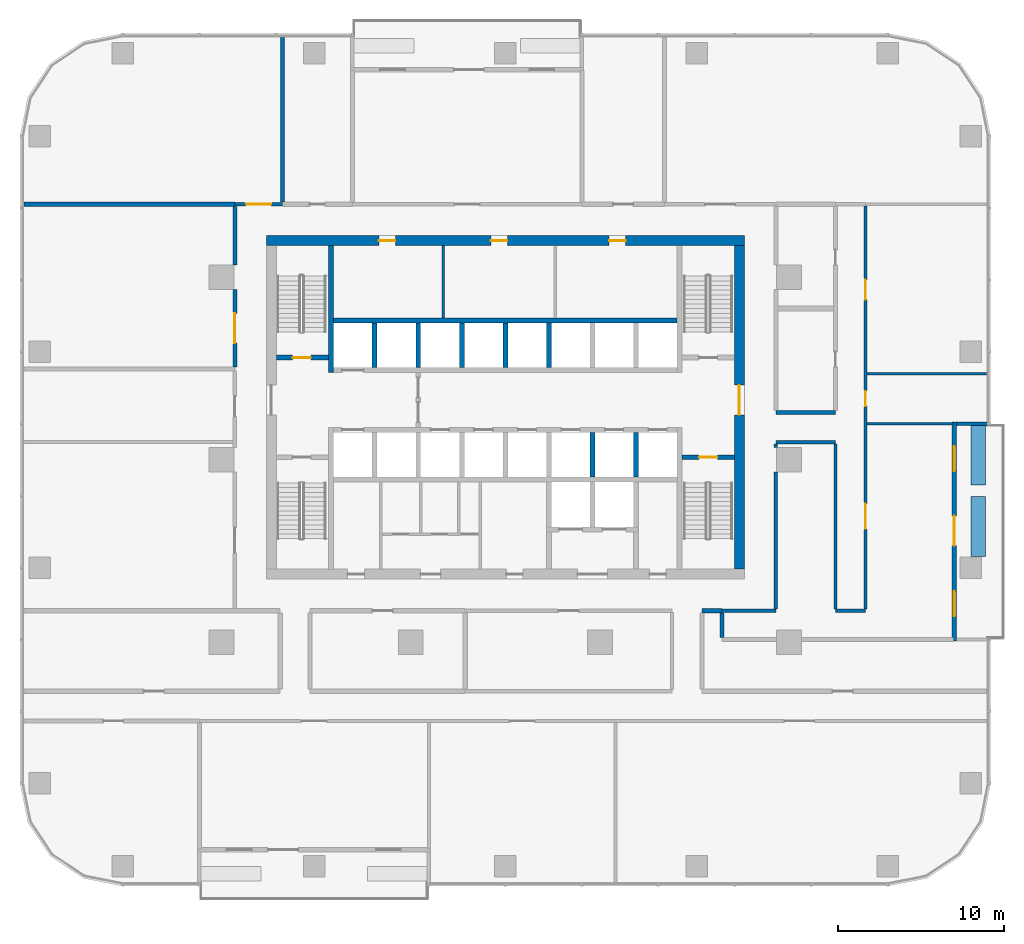
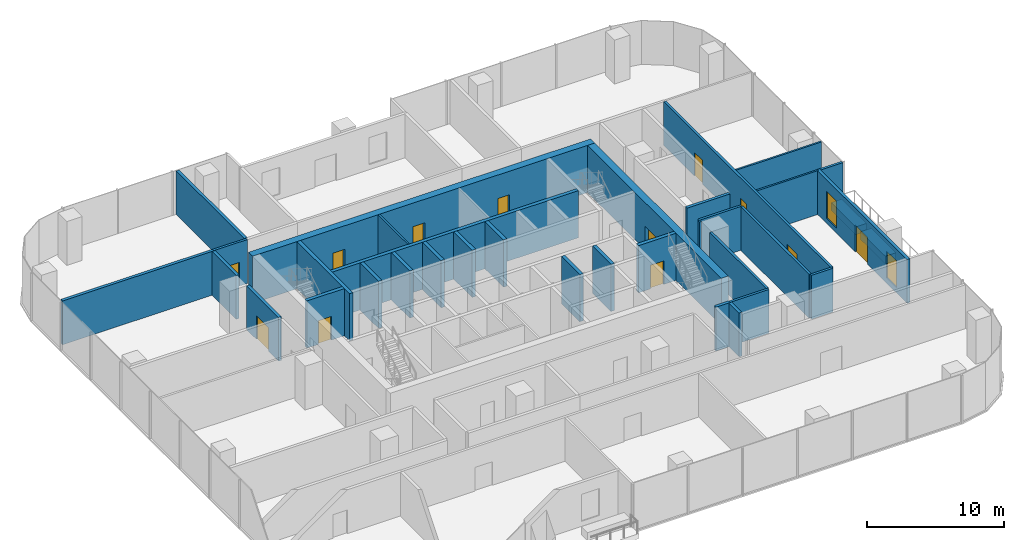
# One storey, part 9 of 14: 35 walls, 12 doors, 2 windows, 14 openings.
"""IFC4 building model written with IfcOpenShell, lengths in metres."""

import ifcopenshell
import ifcopenshell.guid

model = None  # the IFC model being written
_history = None  # IfcOwnerHistory: only IFC2X3 demands one
_inside = {}  # id of a spatial element -> (the spatial element, [elements in it])
_under = {}  # id of a project, library or spatial element -> (it, [spatial elements below it])
_declared = {}  # id of a project -> (the project, [libraries it declares])
_typed = {}  # id of a type object -> (the type object, [elements of that type])
_made_of = {}  # id of a material, layer set ... -> (it, [elements and type objects made of it])


def new_model(schema):
    """Start an empty IFC model of exactly this schema.

    Asked for "IFC4X3", IfcOpenShell would pick the latest addendum, in which some entities
    have other attributes; the version numbers below select the first issue.
    IFC2X3 requires an IfcOwnerHistory on every rooted entity: one is made here for all.
    """
    global model, _history
    if schema == "IFC4X3":
        model = ifcopenshell.file(schema_version=(4, 3, 0, 0))
    else:
        model = ifcopenshell.file(schema=schema)
    _inside.clear()
    _under.clear()
    _declared.clear()
    _typed.clear()
    _made_of.clear()
    _history = None
    if model.schema == "IFC2X3":
        org = make("IfcOrganization", Name="unknown")
        user = make(
            "IfcPersonAndOrganization",
            ThePerson=make("IfcPerson", FamilyName="unknown"),
            TheOrganization=org,
        )
        app = make(
            "IfcApplication",
            ApplicationDeveloper=org,
            Version="unknown",
            ApplicationFullName="unknown",
            ApplicationIdentifier="unknown",
        )
        _history = make(
            "IfcOwnerHistory",
            OwningUser=user,
            OwningApplication=app,
            ChangeAction="ADDED",
            CreationDate=0,
        )
    return model


def make(cls, **values):
    """One entity of the class cls with the attributes given. An attribute that is None is left unset."""
    return model.create_entity(
        cls, **{name: value for name, value in values.items() if value is not None}
    )


def rooted(cls, **values):
    """An entity with a GlobalId (a new one), such as an element, a storey or a relation."""
    return make(cls, GlobalId=ifcopenshell.guid.new(), OwnerHistory=_history, **values)


def si_unit(unit_type, name, prefix=None):
    """IfcSIUnit, for example si_unit("LENGTHUNIT", "METRE", prefix="MILLI")."""
    return make("IfcSIUnit", UnitType=unit_type, Prefix=prefix, Name=name)


def assignment(units):
    """IfcUnitAssignment: the units of a project."""
    return None if units is None else make("IfcUnitAssignment", Units=units)


def point(xyz):
    """IfcCartesianPoint."""
    return None if xyz is None else make("IfcCartesianPoint", Coordinates=xyz)


def direction(xyz):
    """IfcDirection."""
    return None if xyz is None else make("IfcDirection", DirectionRatios=xyz)


def frame(location, z_axis=None, x_axis=None):
    """IfcAxis2Placement3D, a coordinate frame: its origin and axes. An axis left out is left unset."""
    return make(
        "IfcAxis2Placement3D",
        Location=point(location),
        Axis=direction(z_axis),
        RefDirection=direction(x_axis),
    )


def frame_2d(location, x_axis=None):
    """IfcAxis2Placement2D, a coordinate frame in the plane: its origin and x axis."""
    return make(
        "IfcAxis2Placement2D", Location=point(location), RefDirection=direction(x_axis)
    )


def origin():
    """The frame at (0, 0, 0) with its axes left unset."""
    return frame((0.0, 0.0, 0.0))


def place(relative_to, where):
    """IfcLocalPlacement: puts the frame where relative to a parent placement (None: the world)."""
    return make(
        "IfcLocalPlacement", PlacementRelTo=relative_to, RelativePlacement=where
    )


def context(
    kind, dimensions, precision=None, world=None, true_north=None, identifier=None
):
    """IfcGeometricRepresentationContext, for example the 3D "Model" context."""
    return make(
        "IfcGeometricRepresentationContext",
        ContextIdentifier=identifier,
        ContextType=kind,
        CoordinateSpaceDimension=dimensions,
        Precision=precision,
        WorldCoordinateSystem=world,
        TrueNorth=true_north,
    )


def subcontext(parent, identifier, kind, view, scale=None):
    """IfcGeometricRepresentationSubContext, for example "Body" below "Model"."""
    return make(
        "IfcGeometricRepresentationSubContext",
        ContextIdentifier=identifier,
        ContextType=kind,
        ParentContext=parent,
        TargetScale=scale,
        TargetView=view,
    )


def project(units=None, contexts=None):
    """IfcProject with its units and contexts."""
    return rooted(
        "IfcProject",
        Name="project",
        RepresentationContexts=contexts,
        UnitsInContext=assignment(units),
    )


def spatial(cls, under=None, at=None, **own):
    """A site, building, storey or space (cls), placed at a placement, below another one or the project."""
    s = rooted(cls, ObjectPlacement=at, **own)
    if under is not None:
        _under.setdefault(under.id(), (under, []))[1].append(s)
    return s


def profile(cls, at=None, kind="AREA", **sizes):
    """A parametric profile (cls). Its sizes go by their IFC names, for example OverallWidth=200.0."""
    return make(cls, ProfileType=kind, Position=at, **sizes)


def rectangle(**sizes):
    """IfcRectangleProfileDef."""
    return profile("IfcRectangleProfileDef", **sizes)


def extrude(swept, where, along, depth):
    """IfcExtrudedAreaSolid: the profile swept, set in the frame where, extruded along a direction by depth."""
    return make(
        "IfcExtrudedAreaSolid",
        SweptArea=swept,
        Position=where,
        ExtrudedDirection=direction(along),
        Depth=depth,
    )


def shape(context_of_items, identifier, shape_type, items):
    """IfcShapeRepresentation: the items that make up one representation, for example the "Body"."""
    return make(
        "IfcShapeRepresentation",
        ContextOfItems=context_of_items,
        RepresentationIdentifier=identifier,
        RepresentationType=shape_type,
        Items=items,
    )


def material(Name=None, Category=None):
    """IfcMaterial."""
    return make("IfcMaterial", Name=Name, Category=Category)


def layer(
    of_material, thickness, ventilated=None, Name=None, Category=None, Priority=None
):
    """IfcMaterialLayer: one layer of a wall or slab, of a material (None: an air gap)."""
    return make(
        "IfcMaterialLayer",
        Material=of_material,
        LayerThickness=thickness,
        IsVentilated=ventilated,
        Name=Name,
        Category=Category,
        Priority=Priority,
    )


def layer_set(layers, Name=None):
    """IfcMaterialLayerSet."""
    return make("IfcMaterialLayerSet", MaterialLayers=layers, LayerSetName=Name)


def made_of(thing, what):
    """Note that an element or type object is made of a material, layer set ...; save() writes the relation."""
    if what is not None:
        _made_of.setdefault(what.id(), (what, []))[1].append(thing)
    return thing


def type_object(cls, material=None, **own):
    """A type object (cls), such as IfcWallType, which elements share."""
    return made_of(rooted(cls, **own), material)


def element(
    cls,
    number,
    at=None,
    inside=None,
    cuts=None,
    type_object=None,
    material=None,
    context=None,
    identifier="Body",
    shape_type=None,
    held_by="IfcProductDefinitionShape",
    body=None,
    shapes=None,
    **own,
):
    """One element of the class cls, such as IfcWall. Its Tag is "e" and its number.

    at: its placement. inside: the storey or other place that contains it. cuts: it is an
    opening in that element (IfcRelVoidsElement). A single representation is given by context,
    identifier, shape_type and body (its items); several are given by shapes. held_by: the class
    of the entity that holds the representations. save() writes the other relations.
    """
    e = rooted(cls, Tag="e%d" % number, ObjectPlacement=at, **own)
    if body is not None:
        shapes = [shape(context, identifier, shape_type, body)]
    if shapes is not None:
        e.Representation = make(held_by, Representations=shapes)
    if inside is not None:
        _inside.setdefault(inside.id(), (inside, []))[1].append(e)
    if cuts is not None:
        rooted(
            "IfcRelVoidsElement", RelatingBuildingElement=cuts, RelatedOpeningElement=e
        )
    if type_object is not None:
        _typed.setdefault(type_object.id(), (type_object, []))[1].append(e)
    return made_of(e, material)


def fill(opening, filler):
    """IfcRelFillsElement: the door or window that sits in an opening."""
    return rooted(
        "IfcRelFillsElement",
        RelatingOpeningElement=opening,
        RelatedBuildingElement=filler,
    )


def aggregate(whole, parts):
    """IfcRelAggregates: a whole, such as a stair, and the parts it consists of."""
    return rooted("IfcRelAggregates", RelatingObject=whole, RelatedObjects=parts)


def save(model, path):
    """Write the relations noted so far, then the file.

    IfcRelAggregates (storeys below a building ...), IfcRelContainedInSpatialStructure (elements
    in a storey), IfcRelDefinesByType, IfcRelAssociatesMaterial and IfcRelDeclares: one each for
    every whole, place, type object, material and project.
    """
    for whole, parts in _under.values():
        aggregate(whole, parts)
    for where, things in _inside.values():
        rooted(
            "IfcRelContainedInSpatialStructure",
            RelatedElements=things,
            RelatingStructure=where,
        )
    for kind, things in _typed.values():
        rooted("IfcRelDefinesByType", RelatedObjects=things, RelatingType=kind)
    for what, things in _made_of.values():
        rooted("IfcRelAssociatesMaterial", RelatedObjects=things, RelatingMaterial=what)
    for by, libraries in _declared.values():
        rooted("IfcRelDeclares", RelatingContext=by, RelatedDefinitions=libraries)
    model.write(path)


model = new_model("IFC4")

# Units and contexts
model_context = context("Model", 3, precision=1e-05, world=origin(), true_north=direction((0.0, 1.0)))
body_context = subcontext(model_context, "Body", "Model", "MODEL_VIEW")
ifc_project = project(units=[si_unit("LENGTHUNIT", "METRE"), si_unit("AREAUNIT", "SQUARE_METRE"), si_unit("VOLUMEUNIT", "CUBIC_METRE"), si_unit("PLANEANGLEUNIT", "RADIAN"), si_unit("MASSUNIT", "GRAM", prefix="KILO")], contexts=[model_context])

# Site, building, storey
site_placement = place(None, origin())
site = spatial("IfcSite", under=ifc_project, at=site_placement, CompositionType="ELEMENT")
building_placement = place(site_placement, origin())
building = spatial("IfcBuilding", under=site, at=building_placement, Name="Mopane Tessera Tower", CompositionType="ELEMENT")
storey_placement = place(building_placement, frame((0.0, 0.0, 144.10009765625)))
storey = spatial("IfcBuildingStorey", under=building, at=storey_placement, Name="L29", CompositionType="ELEMENT", Elevation=144.10009765625)

# Wall
ifc_material_1 = material(Name="Fire-rated gypsum board partition")
ifc_layer_1 = layer(ifc_material_1, 0.14990234375)
ifc_layer_set_1 = layer_set([ifc_layer_1], Name="Fire-rated gypsum board partition")
wall_type_1 = type_object("IfcWallType", Name="Core room partition 150 mm", PredefinedType="PARTITIONING", material=ifc_layer_set_1)
wall_1_placement = place(storey_placement, frame((-3.75, 8.550048828125, 0.0), z_axis=(0.0, 0.0, 1.0), x_axis=(0.0, 1.0, 0.0)))
element("IfcWall", 1, at=wall_1_placement, inside=storey, type_object=wall_type_1, Name="L29 Room partition", PredefinedType="PARTITIONING", context=body_context, shape_type="SweptSolid", body=[
    extrude(rectangle(XDim=4.349853515625, YDim=0.14990234375, at=frame_2d((2.1748046875, 0.0))), origin(), (0.0, 0.0, 1.0), 4.199951171875),
])

# Wall, openings, doors
ifc_material_2 = material(Name="Concrete C70/85", Category="concrete")
ifc_layer_2 = layer(ifc_material_2, 0.60009765625)
ifc_layer_set_2 = layer_set([ifc_layer_2], Name="Concrete C70/85")
wall_type_2 = type_object("IfcWallType", Name="Core shear wall 600 mm", PredefinedType="SHEAR", material=ifc_layer_set_2)
wall_2_placement = place(storey_placement, frame((-14.39990234375, 13.199951171875, 0.0), z_axis=(0.0, 0.0, 1.0), x_axis=(1.0, 0.0, 0.0)))
wall_2 = element("IfcWall", 2, at=wall_2_placement, inside=storey, type_object=wall_type_2, Name="L29 Core wall north", PredefinedType="SHEAR", context=body_context, shape_type="SweptSolid", body=[
    extrude(rectangle(XDim=28.7998046875, YDim=0.60009765625, at=frame_2d((14.39990234375, 0.0))), origin(), (0.0, 0.0, 1.0), 4.199951171875),
])
opening_1_placement = place(wall_2_placement, frame((6.77490234375, 0.0, 0.0)))
opening_1 = element("IfcOpeningElement", 3, at=opening_1_placement, cuts=wall_2, Name="Opening RD1", PredefinedType="OPENING", context=body_context, shape_type="SweptSolid", body=[
    extrude(rectangle(XDim=1.0, YDim=2.10009765625, at=frame_2d((0.5, 1.050048828125))), frame((0.0, 0.31201171875, 0.0), z_axis=(0.0, -1.0, 0.0), x_axis=(1.0, 0.0, 0.0)), (0.0, 0.0, 1.0), 0.6240234375),
])
opening_2_placement = place(wall_2_placement, frame((13.52490234375, 0.0, 0.0)))
opening_2 = element("IfcOpeningElement", 4, at=opening_2_placement, cuts=wall_2, Name="Opening RD1", PredefinedType="OPENING", context=body_context, shape_type="SweptSolid", body=[
    extrude(rectangle(XDim=1.0, YDim=2.10009765625, at=frame_2d((0.5, 1.050048828125))), frame((0.0, 0.31201171875, 0.0), z_axis=(0.0, -1.0, 0.0), x_axis=(1.0, 0.0, 0.0)), (0.0, 0.0, 1.0), 0.6240234375),
])
opening_3_placement = place(wall_2_placement, frame((20.64990234375, 0.0, 0.0)))
opening_3 = element("IfcOpeningElement", 5, at=opening_3_placement, cuts=wall_2, Name="Opening RD1", PredefinedType="OPENING", context=body_context, shape_type="SweptSolid", body=[
    extrude(rectangle(XDim=1.0, YDim=2.10009765625, at=frame_2d((0.5, 1.050048828125))), frame((0.0, 0.31201171875, 0.0), z_axis=(0.0, -1.0, 0.0), x_axis=(1.0, 0.0, 0.0)), (0.0, 0.0, 1.0), 0.6240234375),
])
ifc_material_3 = material(Name="Timber door", Category="wood")
door_type_1 = type_object("IfcDoorType", Name="Core room door 1000 x 2100", OperationType="SINGLE_SWING_LEFT", PredefinedType="DOOR", material=ifc_material_3)
door_1_placement = place(opening_1_placement, origin())
door_1 = element("IfcDoor", 6, at=door_1_placement, inside=storey, type_object=door_type_1, Name="L29 Room door", OperationType="SINGLE_SWING_LEFT", OverallHeight=2.10009765625, OverallWidth=1.0, PredefinedType="DOOR", context=body_context, shape_type="SweptSolid", body=[
    extrude(rectangle(XDim=1.0, YDim=2.10009765625, at=frame_2d((0.5, 1.050048828125))), frame((0.0, 0.02490234375, 0.0), z_axis=(0.0, -1.0, 0.0), x_axis=(1.0, 0.0, 0.0)), (0.0, 0.0, 1.0), 0.050048828125),
])
fill(opening_1, door_1)
door_2_placement = place(opening_2_placement, origin())
door_2 = element("IfcDoor", 7, at=door_2_placement, inside=storey, type_object=door_type_1, Name="L29 Room door", OperationType="SINGLE_SWING_LEFT", OverallHeight=2.10009765625, OverallWidth=1.0, PredefinedType="DOOR", context=body_context, shape_type="SweptSolid", body=[
    extrude(rectangle(XDim=1.0, YDim=2.10009765625, at=frame_2d((0.5, 1.050048828125))), frame((0.0, 0.02490234375, 0.0), z_axis=(0.0, -1.0, 0.0), x_axis=(1.0, 0.0, 0.0)), (0.0, 0.0, 1.0), 0.050048828125),
])
fill(opening_2, door_2)
door_3_placement = place(opening_3_placement, origin())
door_3 = element("IfcDoor", 8, at=door_3_placement, inside=storey, type_object=door_type_1, Name="L29 Room door", OperationType="SINGLE_SWING_LEFT", OverallHeight=2.10009765625, OverallWidth=1.0, PredefinedType="DOOR", context=body_context, shape_type="SweptSolid", body=[
    extrude(rectangle(XDim=1.0, YDim=2.10009765625, at=frame_2d((0.5, 1.050048828125))), frame((0.0, 0.02490234375, 0.0), z_axis=(0.0, -1.0, 0.0), x_axis=(1.0, 0.0, 0.0)), (0.0, 0.0, 1.0), 0.050048828125),
])
fill(opening_3, door_3)

# Wall, opening, door
wall_3_placement = place(storey_placement, frame((14.10009765625, -6.60009765625, 0.0), z_axis=(0.0, 0.0, 1.0), x_axis=(0.0, 1.0, 0.0)))
wall_3 = element("IfcWall", 9, at=wall_3_placement, inside=storey, type_object=wall_type_2, Name="L29 Core wall east", PredefinedType="SHEAR", context=body_context, shape_type="SweptSolid", body=[
    extrude(rectangle(XDim=19.5, YDim=0.60009765625, at=frame_2d((9.75, 0.0))), origin(), (0.0, 0.0, 1.0), 4.199951171875),
])
opening_4_placement = place(wall_3_placement, frame((9.300048828125, 0.0, 0.0)))
opening_4 = element("IfcOpeningElement", 10, at=opening_4_placement, cuts=wall_3, Name="Opening SD2", PredefinedType="OPENING", context=body_context, shape_type="SweptSolid", body=[
    extrude(rectangle(XDim=1.800048828125, YDim=2.10009765625, at=frame_2d((0.89990234375, 1.050048828125))), frame((0.0, 0.31201171875, 0.0), z_axis=(0.0, -1.0, 0.0), x_axis=(1.0, 0.0, 0.0)), (0.0, 0.0, 1.0), 0.6240234375),
])
ifc_material_4 = material(Name="Steel fire door", Category="steel")
door_type_2 = type_object("IfcDoorType", Name="Core entrance double door 1800 x 2100", OperationType="DOUBLE_DOOR_SINGLE_SWING", PredefinedType="DOOR", material=ifc_material_4)
door_4_placement = place(opening_4_placement, origin())
door_4 = element("IfcDoor", 11, at=door_4_placement, inside=storey, type_object=door_type_2, Name="L29 Core entrance door east", OperationType="DOUBLE_DOOR_SINGLE_SWING", OverallHeight=2.10009765625, OverallWidth=1.800048828125, PredefinedType="DOOR", context=body_context, shape_type="SweptSolid", body=[
    extrude(rectangle(XDim=1.800048828125, YDim=2.10009765625, at=frame_2d((0.89990234375, 1.050048828125))), frame((0.0, 0.02490234375, 0.0), z_axis=(0.0, -1.0, 0.0), x_axis=(1.0, 0.0, 0.0)), (0.0, 0.0, 1.0), 0.050048828125),
])
fill(opening_4, door_4)

# Walls
ifc_material_5 = material(Name="Concrete C60/75", Category="concrete")
ifc_layer_3 = layer(ifc_material_5, 0.300048828125)
ifc_layer_set_3 = layer_set([ifc_layer_3], Name="Concrete C60/75")
wall_type_3 = type_object("IfcWallType", Name="Core spine wall 300 mm", PredefinedType="SHEAR", material=ifc_layer_set_3)
wall_4_placement = place(storey_placement, frame((-10.5, 5.25, 0.0), z_axis=(0.0, 0.0, 1.0), x_axis=(0.0, 1.0, 0.0)))
element("IfcWall", 12, at=wall_4_placement, inside=storey, type_object=wall_type_3, Name="L29 Core spine wall", PredefinedType="SHEAR", context=body_context, shape_type="SweptSolid", body=[
    extrude(rectangle(XDim=7.64990234375, YDim=0.300048828125, at=frame_2d((3.824951171875, 0.0))), origin(), (0.0, 0.0, 1.0), 4.199951171875),
])
ifc_material_6 = material(Name="Gypsum board on steel studs, two layers each face, mineral wool infill", Category="steel")
ifc_layer_4 = layer(ifc_material_6, 0.199951171875)
ifc_layer_set_4 = layer_set([ifc_layer_4], Name="Gypsum board on steel studs, two layers each face, mineral wool infill")
wall_type_4 = type_object("IfcWallType", Name="Gypsum board corridor wall 200, rated EI 60", PredefinedType="PARTITIONING", material=ifc_layer_set_4)
wall_5_placement = place(storey_placement, frame((13.050048828125, -9.10009765625, 0.0), z_axis=(0.0, 0.0, 1.0), x_axis=(1.0, 0.0, 0.0)))
element("IfcWall", 13, at=wall_5_placement, inside=storey, type_object=wall_type_4, Name="Partition L29:009", PredefinedType="PARTITIONING", context=body_context, shape_type="SweptSolid", body=[
    extrude(rectangle(XDim=3.25, YDim=0.199951171875, at=frame_2d((1.625, 0.0))), origin(), (0.0, 0.0, 1.0), 3.89990234375),
])
wall_6_placement = place(storey_placement, frame((19.89990234375, -9.10009765625, 0.0), z_axis=(0.0, 0.0, 1.0), x_axis=(1.0, 0.0, 0.0)))
element("IfcWall", 14, at=wall_6_placement, inside=storey, type_object=wall_type_4, Name="Partition L29:010", PredefinedType="PARTITIONING", context=body_context, shape_type="SweptSolid", body=[
    extrude(rectangle(XDim=1.800048828125, YDim=0.199951171875, at=frame_2d((0.89990234375, 0.0))), origin(), (0.0, 0.0, 1.0), 3.89990234375),
])
wall_7_placement = place(storey_placement, frame((16.300048828125, 1.050048828125, 0.0), z_axis=(0.0, 0.0, 1.0), x_axis=(1.0, 0.0, 0.0)))
element("IfcWall", 15, at=wall_7_placement, inside=storey, type_object=wall_type_4, Name="Partition L29:014", PredefinedType="PARTITIONING", context=body_context, shape_type="SweptSolid", body=[
    extrude(rectangle(XDim=3.599853515625, YDim=0.199951171875, at=frame_2d((1.7998046875, 0.0))), origin(), (0.0, 0.0, 1.0), 3.89990234375),
])

# Wall, opening, door
wall_8_placement = place(storey_placement, frame((-16.300048828125, 15.39990234375, 0.0), z_axis=(0.0, 0.0, 1.0), x_axis=(1.0, 0.0, 0.0)))
wall_8 = element("IfcWall", 16, at=wall_8_placement, inside=storey, type_object=wall_type_4, Name="Partition L29:022", PredefinedType="PARTITIONING", context=body_context, shape_type="SweptSolid", body=[
    extrude(rectangle(XDim=2.860107421875, YDim=0.199951171875, at=frame_2d((1.43017578125, 0.0))), origin(), (0.0, 0.0, 1.0), 3.89990234375),
])
opening_5_placement = place(wall_8_placement, frame((0.679931640625, 0.0, 0.0)))
opening_5 = element("IfcOpeningElement", 17, at=opening_5_placement, cuts=wall_8, Name="Opening L29-11", PredefinedType="OPENING", context=body_context, shape_type="SweptSolid", body=[
    extrude(rectangle(XDim=1.5, YDim=2.10009765625, at=frame_2d((0.75, 1.050048828125))), frame((0.0, 0.112060546875, 0.0), z_axis=(0.0, -1.0, 0.0), x_axis=(1.0, 0.0, 0.0)), (0.0, 0.0, 1.0), 0.223876953125),
])
ifc_material_7 = material(Name="Timber veneered steel-framed fire door", Category="steel")
door_type_3 = type_object("IfcDoorType", Name="Fire door pair FD60 1500 x 2100", OperationType="DOUBLE_DOOR_SINGLE_SWING", PredefinedType="DOOR", material=ifc_material_7)
door_5_placement = place(opening_5_placement, origin())
door_5 = element("IfcDoor", 18, at=door_5_placement, inside=storey, type_object=door_type_3, Name="Door L29-11", ObjectType="D17A", OperationType="DOUBLE_DOOR_SINGLE_SWING", OverallHeight=2.10009765625, OverallWidth=1.5, PredefinedType="DOOR", context=body_context, shape_type="SweptSolid", body=[
    extrude(rectangle(XDim=1.5, YDim=2.10009765625, at=frame_2d((0.75, 1.050048828125))), frame((0.0, 0.02490234375, 0.0), z_axis=(0.0, -1.0, 0.0), x_axis=(1.0, 0.0, 0.0)), (0.0, 0.0, 1.0), 0.050048828125),
])
fill(opening_5, door_5)

# Walls
wall_9_placement = place(storey_placement, frame((16.300048828125, -9.0, 0.0), z_axis=(0.0, 0.0, 1.0), x_axis=(0.0, 1.0, 0.0)))
element("IfcWall", 19, at=wall_9_placement, inside=storey, type_object=wall_type_4, Name="Partition L29:047", PredefinedType="PARTITIONING", context=body_context, shape_type="SweptSolid", body=[
    extrude(rectangle(XDim=8.25, YDim=0.199951171875, at=frame_2d((4.125, 0.0))), origin(), (0.0, 0.0, 1.0), 3.89990234375),
])
wall_10_placement = place(storey_placement, frame((16.300048828125, 0.75, 0.0), z_axis=(0.0, 0.0, 1.0), x_axis=(0.0, 1.0, 0.0)))
element("IfcWall", 20, at=wall_10_placement, inside=storey, type_object=wall_type_4, Name="Partition L29:048", PredefinedType="PARTITIONING", context=body_context, shape_type="SweptSolid", body=[
    extrude(rectangle(XDim=0.199951171875, YDim=0.199951171875, at=frame_2d((0.10009765625, 0.0))), origin(), (0.0, 0.0, 1.0), 3.89990234375),
])
wall_11_placement = place(storey_placement, frame((19.89990234375, -9.0, 0.0), z_axis=(0.0, 0.0, 1.0), x_axis=(0.0, 1.0, 0.0)))
element("IfcWall", 21, at=wall_11_placement, inside=storey, type_object=wall_type_4, Name="Partition L29:051", PredefinedType="PARTITIONING", context=body_context, shape_type="SweptSolid", body=[
    extrude(rectangle(XDim=9.949951171875, YDim=0.199951171875, at=frame_2d((4.97509765625, 0.0))), origin(), (0.0, 0.0, 1.0), 3.89990234375),
])

# Wall, openings, doors
wall_12_placement = place(storey_placement, frame((21.699951171875, -9.0, 0.0), z_axis=(0.0, 0.0, 1.0), x_axis=(0.0, 1.0, 0.0)))
wall_12 = element("IfcWall", 22, at=wall_12_placement, inside=storey, type_object=wall_type_4, Name="Partition L29:053", PredefinedType="PARTITIONING", context=body_context, shape_type="SweptSolid", body=[
    extrude(rectangle(XDim=24.300048828125, YDim=0.199951171875, at=frame_2d((12.14990234375, 0.0))), origin(), (0.0, 0.0, 1.0), 3.89990234375),
])
opening_6_placement = place(wall_12_placement, frame((18.64501953125, 0.0, 0.0)))
opening_6 = element("IfcOpeningElement", 23, at=opening_6_placement, cuts=wall_12, Name="Opening L29-07", PredefinedType="OPENING", context=body_context, shape_type="SweptSolid", body=[
    extrude(rectangle(XDim=1.199951171875, YDim=2.10009765625, at=frame_2d((0.60009765625, 1.050048828125))), frame((0.0, 0.112060546875, 0.0), z_axis=(0.0, -1.0, 0.0), x_axis=(1.0, 0.0, 0.0)), (0.0, 0.0, 1.0), 0.223876953125),
])
opening_7_placement = place(wall_12_placement, frame((4.83251953125, 0.0, 0.0)))
opening_7 = element("IfcOpeningElement", 24, at=opening_7_placement, cuts=wall_12, Name="Opening L29-14", PredefinedType="OPENING", context=body_context, shape_type="SweptSolid", body=[
    extrude(rectangle(XDim=1.5, YDim=2.10009765625, at=frame_2d((0.75, 1.050048828125))), frame((0.0, 0.112060546875, 0.0), z_axis=(0.0, -1.0, 0.0), x_axis=(1.0, 0.0, 0.0)), (0.0, 0.0, 1.0), 0.223876953125),
])
opening_8_placement = place(wall_12_placement, frame((12.2275390625, 0.0, 0.0)))
opening_8 = element("IfcOpeningElement", 25, at=opening_8_placement, cuts=wall_12, Name="Opening L29-21", PredefinedType="OPENING", context=body_context, shape_type="SweptSolid", body=[
    extrude(rectangle(XDim=0.89990234375, YDim=2.10009765625, at=frame_2d((0.449951171875, 1.050048828125))), frame((0.0, 0.112060546875, 0.0), z_axis=(0.0, -1.0, 0.0), x_axis=(1.0, 0.0, 0.0)), (0.0, 0.0, 1.0), 0.223876953125),
])
ifc_material_8 = material(Name="Timber veneered steel-framed fire door", Category="steel")
door_type_4 = type_object("IfcDoorType", Name="Fire door FD60 1200 x 2100", OperationType="SINGLE_SWING_LEFT", PredefinedType="DOOR", material=ifc_material_8)
door_6_placement = place(opening_6_placement, origin())
door_6 = element("IfcDoor", 26, at=door_6_placement, inside=storey, type_object=door_type_4, Name="Door L29-07", ObjectType="D15A", OperationType="SINGLE_SWING_LEFT", OverallHeight=2.10009765625, OverallWidth=1.199951171875, PredefinedType="DOOR", context=body_context, shape_type="SweptSolid", body=[
    extrude(rectangle(XDim=1.199951171875, YDim=2.10009765625, at=frame_2d((0.60009765625, 1.050048828125))), frame((0.0, 0.02490234375, 0.0), z_axis=(0.0, -1.0, 0.0), x_axis=(1.0, 0.0, 0.0)), (0.0, 0.0, 1.0), 0.050048828125),
])
fill(opening_6, door_6)
ifc_material_9 = material(Name="Timber veneered steel-framed fire door", Category="steel")
door_type_5 = type_object("IfcDoorType", Name="Fire door FD60 900 x 2100", OperationType="SINGLE_SWING_LEFT", PredefinedType="DOOR", material=ifc_material_9)
door_7_placement = place(opening_8_placement, origin())
door_7 = element("IfcDoor", 27, at=door_7_placement, inside=storey, type_object=door_type_5, Name="Door L29-21", ObjectType="D10A", OperationType="SINGLE_SWING_LEFT", OverallHeight=2.10009765625, OverallWidth=0.89990234375, PredefinedType="DOOR", context=body_context, shape_type="SweptSolid", body=[
    extrude(rectangle(XDim=0.89990234375, YDim=2.10009765625, at=frame_2d((0.449951171875, 1.050048828125))), frame((0.0, 0.02490234375, 0.0), z_axis=(0.0, -1.0, 0.0), x_axis=(1.0, 0.0, 0.0)), (0.0, 0.0, 1.0), 0.050048828125),
])
fill(opening_8, door_7)
door_8_placement = place(opening_7_placement, origin())
door_8 = element("IfcDoor", 28, at=door_8_placement, inside=storey, type_object=door_type_3, Name="Door L29-14", ObjectType="D17A", OperationType="DOUBLE_DOOR_SINGLE_SWING", OverallHeight=2.10009765625, OverallWidth=1.5, PredefinedType="DOOR", context=body_context, shape_type="SweptSolid", body=[
    extrude(rectangle(XDim=1.5, YDim=2.10009765625, at=frame_2d((0.75, 1.050048828125))), frame((0.0, 0.02490234375, 0.0), z_axis=(0.0, -1.0, 0.0), x_axis=(1.0, 0.0, 0.0)), (0.0, 0.0, 1.0), 0.050048828125),
])
fill(opening_7, door_8)

# Walls
ifc_material_10 = material(Name="Gypsum board on steel studs, mineral wool infill", Category="steel")
ifc_layer_5 = layer(ifc_material_10, 0.14990234375)
ifc_layer_set_5 = layer_set([ifc_layer_5], Name="Gypsum board on steel studs, mineral wool infill")
wall_type_5 = type_object("IfcWallType", Name="Gypsum board partition 150, rated EI 60", PredefinedType="PARTITIONING", material=ifc_layer_set_5)
wall_13_placement = place(storey_placement, frame((21.800048828125, 2.1650390625, 0.0), z_axis=(0.0, 0.0, 1.0), x_axis=(1.0, 0.0, 0.0)))
element("IfcWall", 29, at=wall_13_placement, inside=storey, type_object=wall_type_5, Name="Partition L29:016", PredefinedType="PARTITIONING", context=body_context, shape_type="SweptSolid", body=[
    extrude(rectangle(XDim=5.199951171875, YDim=0.14990234375, at=frame_2d((2.60009765625, 0.0))), origin(), (0.0, 0.0, 1.0), 3.89990234375),
])
wall_14_placement = place(storey_placement, frame((21.800048828125, 5.18994140625, 0.0), z_axis=(0.0, 0.0, 1.0), x_axis=(1.0, 0.0, 0.0)))
element("IfcWall", 30, at=wall_14_placement, inside=storey, type_object=wall_type_5, Name="Partition L29:018", PredefinedType="PARTITIONING", context=body_context, shape_type="SweptSolid", body=[
    extrude(rectangle(XDim=7.199951171875, YDim=0.14990234375, at=frame_2d((3.60009765625, 0.0))), origin(), (0.0, 0.0, 1.0), 3.89990234375),
])

# Wall, opening, door
ifc_material_11 = material(Name="Concrete C50/60", Category="concrete")
ifc_layer_6 = layer(ifc_material_11, 0.300048828125)
ifc_layer_set_6 = layer_set([ifc_layer_6], Name="Concrete C50/60")
wall_type_6 = type_object("IfcWallType", Name="Lift and stair shaft wall 300 mm", PredefinedType="SOLIDWALL", material=ifc_layer_set_6)
wall_15_placement = place(storey_placement, frame((-13.800048828125, 6.14990234375, 0.0), z_axis=(0.0, 0.0, 1.0), x_axis=(1.0, 0.0, 0.0)))
wall_15 = element("IfcWall", 31, at=wall_15_placement, inside=storey, type_object=wall_type_6, Name="L29 Stair enclosure wall", PredefinedType="SOLIDWALL", context=body_context, shape_type="SweptSolid", body=[
    extrude(rectangle(XDim=3.150146484375, YDim=0.300048828125, at=frame_2d((1.5751953125, 0.0))), origin(), (0.0, 0.0, 1.0), 4.199951171875),
])
opening_9_placement = place(wall_15_placement, frame((0.97509765625, 0.0, 0.0)))
opening_9 = element("IfcOpeningElement", 32, at=opening_9_placement, cuts=wall_15, Name="Opening SD1", PredefinedType="OPENING", context=body_context, shape_type="SweptSolid", body=[
    extrude(rectangle(XDim=1.10009765625, YDim=2.10009765625, at=frame_2d((0.550048828125, 1.050048828125))), frame((0.0, 0.162109375, 0.0), z_axis=(0.0, -1.0, 0.0), x_axis=(1.0, 0.0, 0.0)), (0.0, 0.0, 1.0), 0.323974609375),
])
ifc_material_12 = material(Name="Steel fire door", Category="steel")
door_type_6 = type_object("IfcDoorType", Name="Stair fire door 1100 x 2100", OperationType="SINGLE_SWING_LEFT", PredefinedType="DOOR", material=ifc_material_12)
door_9_placement = place(opening_9_placement, origin())
door_9 = element("IfcDoor", 33, at=door_9_placement, inside=storey, type_object=door_type_6, Name="L29 Stair door ST2", OperationType="SINGLE_SWING_LEFT", OverallHeight=2.10009765625, OverallWidth=1.10009765625, PredefinedType="DOOR", context=body_context, shape_type="SweptSolid", body=[
    extrude(rectangle(XDim=1.10009765625, YDim=2.10009765625, at=frame_2d((0.550048828125, 1.050048828125))), frame((0.0, 0.02490234375, 0.0), z_axis=(0.0, -1.0, 0.0), x_axis=(1.0, 0.0, 0.0)), (0.0, 0.0, 1.0), 0.050048828125),
])
fill(opening_9, door_9)

wall_16_placement = place(storey_placement, frame((10.64990234375, 0.14990234375, 0.0), z_axis=(0.0, 0.0, 1.0), x_axis=(1.0, 0.0, 0.0)))
wall_16 = element("IfcWall", 34, at=wall_16_placement, inside=storey, type_object=wall_type_6, Name="L29 Stair enclosure wall", PredefinedType="SOLIDWALL", context=body_context, shape_type="SweptSolid", body=[
    extrude(rectangle(XDim=3.150146484375, YDim=0.300048828125, at=frame_2d((1.5751953125, 0.0))), origin(), (0.0, 0.0, 1.0), 4.199951171875),
])
opening_10_placement = place(wall_16_placement, frame((1.02490234375, 0.0, 0.0)))
opening_10 = element("IfcOpeningElement", 35, at=opening_10_placement, cuts=wall_16, Name="Opening SD1", PredefinedType="OPENING", context=body_context, shape_type="SweptSolid", body=[
    extrude(rectangle(XDim=1.10009765625, YDim=2.10009765625, at=frame_2d((0.550048828125, 1.050048828125))), frame((0.0, 0.162109375, 0.0), z_axis=(0.0, -1.0, 0.0), x_axis=(1.0, 0.0, 0.0)), (0.0, 0.0, 1.0), 0.323974609375),
])
door_10_placement = place(opening_10_placement, origin())
door_10 = element("IfcDoor", 36, at=door_10_placement, inside=storey, type_object=door_type_6, Name="L29 Stair door ST3", OperationType="SINGLE_SWING_RIGHT", OverallHeight=2.10009765625, OverallWidth=1.10009765625, PredefinedType="DOOR", context=body_context, shape_type="SweptSolid", body=[
    extrude(rectangle(XDim=1.10009765625, YDim=2.10009765625, at=frame_2d((0.550048828125, 1.050048828125))), frame((0.0, 0.02490234375, 0.0), z_axis=(0.0, -1.0, 0.0), x_axis=(1.0, 0.0, 0.0)), (0.0, 0.0, 1.0), 0.050048828125),
])
fill(opening_10, door_10)

# Walls
wall_17_placement = place(storey_placement, frame((-10.35009765625, 8.39990234375, 0.0), z_axis=(0.0, 0.0, 1.0), x_axis=(1.0, 0.0, 0.0)))
element("IfcWall", 37, at=wall_17_placement, inside=storey, type_object=wall_type_6, Name="L29 Lift shaft rear wall", PredefinedType="SOLIDWALL", context=body_context, shape_type="SweptSolid", body=[
    extrude(rectangle(XDim=20.7001953125, YDim=0.300048828125, at=frame_2d((10.35009765625, 0.0))), origin(), (0.0, 0.0, 1.0), 4.199951171875),
])
for number, where, z_axis, x_axis, name in (
    (38, (5.25, -1.050048828125, 0.0), (0.0, 0.0, 1.0), (0.0, 1.0, 0.0), "L29 Lift shaft wall"),
    (39, (7.875, -1.050048828125, 0.0), (0.0, 0.0, 1.0), (0.0, 1.0, 0.0), "L29 Lift shaft wall"),
    (40, (-7.875, 5.550048828125, 0.0), (0.0, 0.0, 1.0), (0.0, 1.0, 0.0), "L29 Lift shaft wall"),
    (41, (-5.25, 5.550048828125, 0.0), (0.0, 0.0, 1.0), (0.0, 1.0, 0.0), "L29 Lift shaft wall"),
    (42, (-2.625, 5.550048828125, 0.0), (0.0, 0.0, 1.0), (0.0, 1.0, 0.0), "L29 Lift shaft wall"),
    (43, (0.0, 5.550048828125, 0.0), (0.0, 0.0, 1.0), (0.0, 1.0, 0.0), "L29 Lift shaft wall"),
    (44, (2.625, 5.550048828125, 0.0), (0.0, 0.0, 1.0), (0.0, 1.0, 0.0), "L29 Lift shaft wall"),
):
    element("IfcWall", number, at=place(storey_placement, frame(where, z_axis=z_axis, x_axis=x_axis)), inside=storey, type_object=wall_type_6, Name=name, PredefinedType="SOLIDWALL", context=body_context, shape_type="SweptSolid", body=[
        extrude(rectangle(XDim=2.699951171875, YDim=0.300048828125, at=frame_2d((1.35009765625, 0.0))), origin(), (0.0, 0.0, 1.0), 4.199951171875),
    ])
ifc_material_13 = material(Name="Reinforced concrete C32/40 with waterproofing", Category="concrete")
ifc_layer_7 = layer(ifc_material_13, 0.89990234375)
ifc_layer_set_7 = layer_set([ifc_layer_7], Name="Reinforced concrete C32/40 with waterproofing")
wall_type_7 = type_object("IfcWallType", Name="Planter trough 3600 x 900", PredefinedType="STANDARD", material=ifc_layer_set_7)
for number, where, z_axis, x_axis, name in (
    (45, (28.5, -5.830078125, 0.0), (0.0, 0.0, 1.0), (0.0, 1.0, 0.0), "e:nw:L29:N3:pl0"),
    (46, (28.5, -1.533447265625, 0.0), (0.0, 0.0, 1.0), (0.0, 1.0, 0.0), "e:nw:L29:N3:pl1"),
):
    element("IfcWall", number, at=place(storey_placement, frame(where, z_axis=z_axis, x_axis=x_axis)), inside=storey, type_object=wall_type_7, Name=name, PredefinedType="STANDARD", context=body_context, shape_type="SweptSolid", body=[
        extrude(rectangle(XDim=3.60009765625, YDim=0.89990234375, at=frame_2d((1.800048828125, 0.0))), origin(), (0.0, 0.0, 1.0), 0.699951171875),
    ])
ifc_material_14 = material(Name="Plastered concrete blockwork C20/25", Category="masonry")
ifc_layer_8 = layer(ifc_material_14, 0.25)
ifc_layer_set_8 = layer_set([ifc_layer_8], Name="Plastered concrete blockwork C20/25")
wall_type_8 = type_object("IfcWallType", Name="Plastered blockwork wall 250, rated EI 120", PredefinedType="PARTITIONING", material=ifc_layer_set_8)
wall_18_placement = place(storey_placement, frame((11.844970703125, -9.10009765625, 0.0), z_axis=(0.0, 0.0, 1.0), x_axis=(1.0, 0.0, 0.0)))
element("IfcWall", 47, at=wall_18_placement, inside=storey, type_object=wall_type_8, Name="Partition L29:013", PredefinedType="PARTITIONING", context=body_context, shape_type="SweptSolid", body=[
    extrude(rectangle(XDim=1.205078125, YDim=0.25, at=frame_2d((0.6025390625, 0.0))), origin(), (0.0, 0.0, 1.0), 3.89990234375),
])
wall_19_placement = place(storey_placement, frame((16.300048828125, 2.85009765625, 0.0), z_axis=(0.0, 0.0, 1.0), x_axis=(1.0, 0.0, 0.0)))
element("IfcWall", 48, at=wall_19_placement, inside=storey, type_object=wall_type_8, Name="Partition L29:017", PredefinedType="PARTITIONING", context=body_context, shape_type="SweptSolid", body=[
    extrude(rectangle(XDim=3.599853515625, YDim=0.25, at=frame_2d((1.7998046875, 0.0))), origin(), (0.0, 0.0, 1.0), 3.89990234375),
])
wall_20_placement = place(storey_placement, frame((-29.0, 15.39990234375, 0.0), z_axis=(0.0, 0.0, 1.0), x_axis=(1.0, 0.0, 0.0)))
element("IfcWall", 49, at=wall_20_placement, inside=storey, type_object=wall_type_8, Name="Partition L29:026", PredefinedType="PARTITIONING", context=body_context, shape_type="SweptSolid", body=[
    extrude(rectangle(XDim=12.699951171875, YDim=0.25, at=frame_2d((6.35009765625, 0.0))), origin(), (0.0, 0.0, 1.0), 3.89990234375),
])

# Wall, opening, door
wall_21_placement = place(storey_placement, frame((-16.300048828125, 5.60009765625, 0.0), z_axis=(0.0, 0.0, 1.0), x_axis=(0.0, 1.0, 0.0)))
wall_21 = element("IfcWall", 50, at=wall_21_placement, inside=storey, type_object=wall_type_8, Name="Partition L29:033", PredefinedType="PARTITIONING", context=body_context, shape_type="SweptSolid", body=[
    extrude(rectangle(XDim=4.64990234375, YDim=0.25, at=frame_2d((2.324951171875, 0.0))), origin(), (0.0, 0.0, 1.0), 3.89990234375),
])
opening_11_placement = place(wall_21_placement, frame((1.425048828125, 0.0, 0.0)))
opening_11 = element("IfcOpeningElement", 51, at=opening_11_placement, cuts=wall_21, Name="Opening L29-05", PredefinedType="OPENING", context=body_context, shape_type="SweptSolid", body=[
    extrude(rectangle(XDim=1.800048828125, YDim=2.10009765625, at=frame_2d((0.89990234375, 1.050048828125))), frame((0.0, 0.136962890625, 0.0), z_axis=(0.0, -1.0, 0.0), x_axis=(1.0, 0.0, 0.0)), (0.0, 0.0, 1.0), 0.27392578125),
])
ifc_material_15 = material(Name="Timber veneered steel-framed fire door", Category="steel")
door_type_7 = type_object("IfcDoorType", Name="Fire door pair FD120 1800 x 2100", OperationType="DOUBLE_DOOR_SINGLE_SWING", PredefinedType="DOOR", material=ifc_material_15)
door_11_placement = place(opening_11_placement, origin())
door_11 = element("IfcDoor", 52, at=door_11_placement, inside=storey, type_object=door_type_7, Name="Door L29-05", ObjectType="D20B", OperationType="DOUBLE_DOOR_SINGLE_SWING", OverallHeight=2.10009765625, OverallWidth=1.800048828125, PredefinedType="DOOR", context=body_context, shape_type="SweptSolid", body=[
    extrude(rectangle(XDim=1.800048828125, YDim=2.10009765625, at=frame_2d((0.89990234375, 1.050048828125))), frame((0.0, 0.02490234375, 0.0), z_axis=(0.0, -1.0, 0.0), x_axis=(1.0, 0.0, 0.0)), (0.0, 0.0, 1.0), 0.050048828125),
])
fill(opening_11, door_11)

# Walls
wall_22_placement = place(storey_placement, frame((-16.300048828125, 11.75, 0.0), z_axis=(0.0, 0.0, 1.0), x_axis=(0.0, 1.0, 0.0)))
element("IfcWall", 53, at=wall_22_placement, inside=storey, type_object=wall_type_8, Name="Partition L29:034", PredefinedType="PARTITIONING", context=body_context, shape_type="SweptSolid", body=[
    extrude(rectangle(XDim=3.52490234375, YDim=0.25, at=frame_2d((1.762451171875, 0.0))), origin(), (0.0, 0.0, 1.0), 3.89990234375),
])
wall_23_placement = place(storey_placement, frame((-13.43994140625, 15.52490234375, 0.0), z_axis=(0.0, 0.0, 1.0), x_axis=(0.0, 1.0, 0.0)))
element("IfcWall", 54, at=wall_23_placement, inside=storey, type_object=wall_type_8, Name="Partition L29:036", PredefinedType="PARTITIONING", context=body_context, shape_type="SweptSolid", body=[
    extrude(rectangle(XDim=9.925048828125, YDim=0.25, at=frame_2d((4.96240234375, 0.0))), origin(), (0.0, 0.0, 1.0), 3.89990234375),
])
wall_24_placement = place(storey_placement, frame((13.050048828125, -10.7099609375, 0.0), z_axis=(0.0, 0.0, 1.0), x_axis=(0.0, 1.0, 0.0)))
element("IfcWall", 55, at=wall_24_placement, inside=storey, type_object=wall_type_8, Name="Partition L29:046", PredefinedType="PARTITIONING", context=body_context, shape_type="SweptSolid", body=[
    extrude(rectangle(XDim=1.48486328125, YDim=0.25, at=frame_2d((0.742431640625, 0.0))), origin(), (0.0, 0.0, 1.0), 3.89990234375),
])
ifc_material_16 = material(Name="Blockwork with glazed tile facing", Category="masonry")
ifc_layer_9 = layer(ifc_material_16, 0.199951171875)
ifc_layer_set_9 = layer_set([ifc_layer_9], Name="Blockwork with glazed tile facing")
wall_type_9 = type_object("IfcWallType", Name="Terrace cheek wall 200", PredefinedType="STANDARD", material=ifc_layer_set_9)
wall_25_placement = place(storey_placement, frame((29.050048828125, 2.166748046875, 0.0), z_axis=(0.0, 0.0, 1.0), x_axis=(-1.0, 0.0, 0.0)))
element("IfcWall", 56, at=wall_25_placement, inside=storey, type_object=wall_type_9, Name="e:nw:L29:N3:cheekb", PredefinedType="STANDARD", context=body_context, shape_type="SweptSolid", body=[
    extrude(rectangle(XDim=1.875, YDim=0.199951171875, at=frame_2d((0.9375, 0.0))), origin(), (0.0, 0.0, 1.0), 3.89990234375),
])

# Wall, openings, windows, door
ifc_material_17 = material(Name="Blockwork with ultramarine glazed tile facing", Category="masonry")
ifc_layer_10 = layer(ifc_material_17, 0.25)
ifc_layer_set_10 = layer_set([ifc_layer_10], Name="Blockwork with ultramarine glazed tile facing")
wall_type_10 = type_object("IfcWallType", Name="Tile-clad external wall 250, ultramarine", PredefinedType="STANDARD", material=ifc_layer_set_10)
wall_26_placement = place(storey_placement, frame((27.050048828125, -10.933349609375, 0.0), z_axis=(0.0, 0.0, 1.0), x_axis=(0.0, 1.0, 0.0)))
wall_26 = element("IfcWall", 57, at=wall_26_placement, inside=storey, type_object=wall_type_10, Name="e:nw:L29:N3:back", PredefinedType="STANDARD", context=body_context, shape_type="SweptSolid", body=[
    extrude(rectangle(XDim=13.199951171875, YDim=0.25, at=frame_2d((6.60009765625, 0.0))), origin(), (0.0, 0.0, 1.0), 3.89990234375),
])
opening_12_placement = place(wall_26_placement, frame((1.5, 0.0, 0.449951171875)))
opening_12 = element("IfcOpeningElement", 58, at=opening_12_placement, cuts=wall_26, Name="Opening NW293A", PredefinedType="OPENING", context=body_context, shape_type="SweptSolid", body=[
    extrude(rectangle(XDim=1.5, YDim=2.39990234375, at=frame_2d((0.75, 1.199951171875))), frame((0.0, 0.136962890625, 0.0), z_axis=(0.0, -1.0, 0.0), x_axis=(1.0, 0.0, 0.0)), (0.0, 0.0, 1.0), 0.27392578125),
])
opening_13_placement = place(wall_26_placement, frame((5.75, 0.0, 0.0)))
opening_13 = element("IfcOpeningElement", 59, at=opening_13_placement, cuts=wall_26, Name="Opening ND293", PredefinedType="OPENING", context=body_context, shape_type="SweptSolid", body=[
    extrude(rectangle(XDim=1.800048828125, YDim=2.39990234375, at=frame_2d((0.89990234375, 1.199951171875))), frame((0.0, 0.136962890625, 0.0), z_axis=(0.0, -1.0, 0.0), x_axis=(1.0, 0.0, 0.0)), (0.0, 0.0, 1.0), 0.27392578125),
])
opening_14_placement = place(wall_26_placement, frame((10.25, 0.0, 0.449951171875)))
opening_14 = element("IfcOpeningElement", 60, at=opening_14_placement, cuts=wall_26, Name="Opening NW293B", PredefinedType="OPENING", context=body_context, shape_type="SweptSolid", body=[
    extrude(rectangle(XDim=1.5, YDim=2.39990234375, at=frame_2d((0.75, 1.199951171875))), frame((0.0, 0.136962890625, 0.0), z_axis=(0.0, -1.0, 0.0), x_axis=(1.0, 0.0, 0.0)), (0.0, 0.0, 1.0), 0.27392578125),
])
ifc_material_18 = material(Name="Clear laminated glass", Category="glass")
window_type = type_object("IfcWindowType", Name="Fixed window 1500 x 2400", PartitioningType="SINGLE_PANEL", PredefinedType="WINDOW", material=ifc_material_18)
window_1_placement = place(opening_12_placement, origin())
window_1 = element("IfcWindow", 61, at=window_1_placement, inside=storey, type_object=window_type, Name="e:nw:L29:N3:win0", OverallHeight=2.39990234375, OverallWidth=1.5, PartitioningType="SINGLE_PANEL", PredefinedType="WINDOW", context=body_context, shape_type="SweptSolid", body=[
    extrude(rectangle(XDim=1.5, YDim=2.39990234375, at=frame_2d((0.75, 1.199951171875))), frame((0.0, 0.030029296875, 0.0), z_axis=(0.0, -1.0, 0.0), x_axis=(1.0, 0.0, 0.0)), (0.0, 0.0, 1.0), 0.06005859375),
])
fill(opening_12, window_1)
window_2_placement = place(opening_14_placement, origin())
window_2 = element("IfcWindow", 62, at=window_2_placement, inside=storey, type_object=window_type, Name="e:nw:L29:N3:win2", OverallHeight=2.39990234375, OverallWidth=1.5, PartitioningType="SINGLE_PANEL", PredefinedType="WINDOW", context=body_context, shape_type="SweptSolid", body=[
    extrude(rectangle(XDim=1.5, YDim=2.39990234375, at=frame_2d((0.75, 1.199951171875))), frame((0.0, 0.030029296875, 0.0), z_axis=(0.0, -1.0, 0.0), x_axis=(1.0, 0.0, 0.0)), (0.0, 0.0, 1.0), 0.06005859375),
])
fill(opening_14, window_2)
ifc_material_19 = material(Name="Aluminium and clear glass", Category="aluminium")
door_type_8 = type_object("IfcDoorType", Name="Terrace double door 1800 x 2400", OperationType="DOUBLE_DOOR_SINGLE_SWING", PredefinedType="DOOR", material=ifc_material_19)
door_12_placement = place(opening_13_placement, origin())
door_12 = element("IfcDoor", 63, at=door_12_placement, inside=storey, type_object=door_type_8, Name="e:nw:L29:N3:door", ObjectType="D1", OperationType="DOUBLE_DOOR_SINGLE_SWING", OverallHeight=2.39990234375, OverallWidth=1.800048828125, PredefinedType="DOOR", context=body_context, shape_type="SweptSolid", body=[
    extrude(rectangle(XDim=1.800048828125, YDim=2.39990234375, at=frame_2d((0.89990234375, 1.199951171875))), frame((0.0, 0.02490234375, 0.0), z_axis=(0.0, -1.0, 0.0), x_axis=(1.0, 0.0, 0.0)), (0.0, 0.0, 1.0), 0.050048828125),
])
fill(opening_13, door_12)

save(model, "model.ifc")
